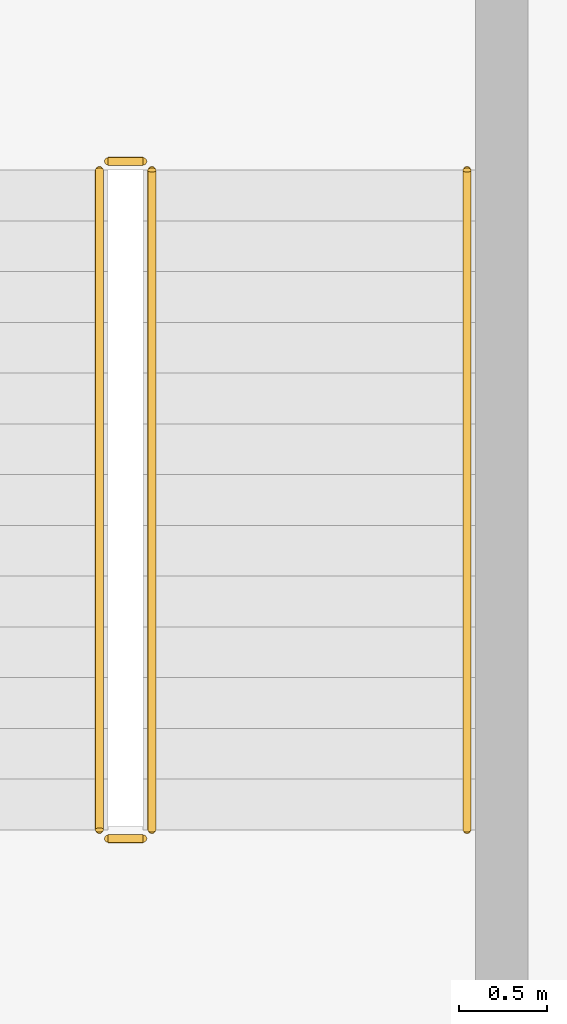
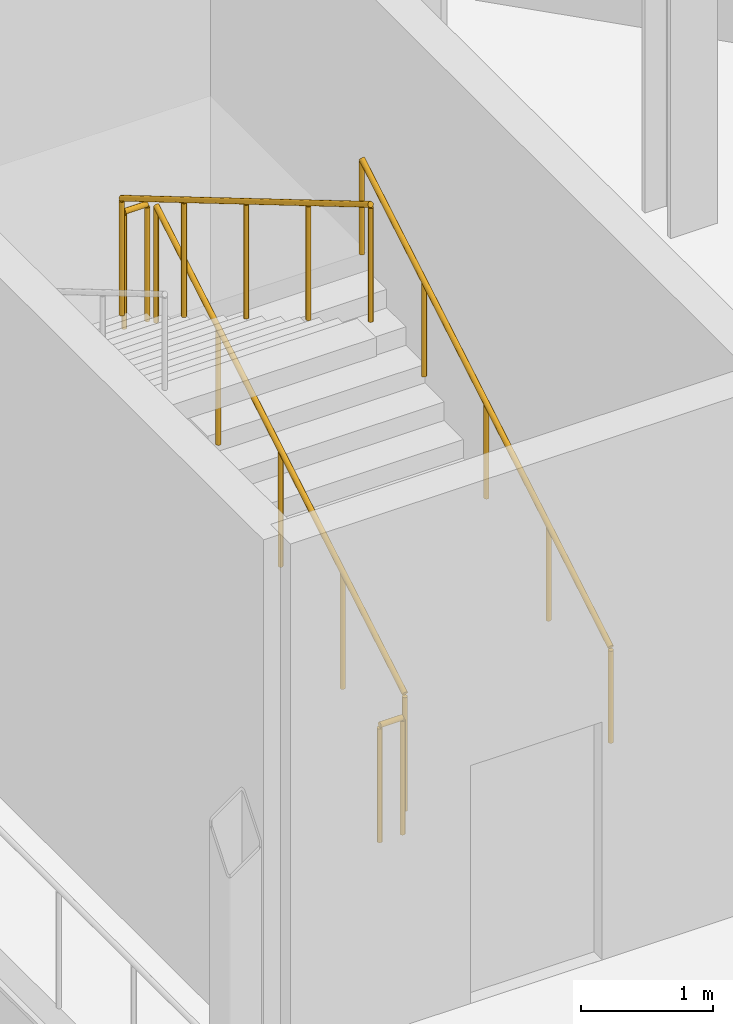
# One storey, part 82 of 85: 5 railings.
"""IFC4 building model written with IfcOpenShell, lengths in metres."""

from ifc_helpers import new_model, si_unit, direction, frame, origin, origin_2d, place, context, subcontext, project, spatial, circle, extrude, material, type_object, element, save


model = new_model("IFC4")

# Units and contexts
model_context = context("Model", 3, precision=1e-05, world=origin(), true_north=direction((0.0, 1.0)))
body_context = subcontext(model_context, "Body", "Model", "MODEL_VIEW")
ifc_project = project(units=[si_unit("LENGTHUNIT", "METRE"), si_unit("AREAUNIT", "SQUARE_METRE"), si_unit("VOLUMEUNIT", "CUBIC_METRE"), si_unit("PLANEANGLEUNIT", "RADIAN"), si_unit("MASSUNIT", "GRAM", prefix="KILO"), si_unit("THERMODYNAMICTEMPERATUREUNIT", "KELVIN"), si_unit("POWERUNIT", "WATT")], contexts=[model_context])

# Site, building, storey
site_placement = place(None, origin())
site = spatial("IfcSite", under=ifc_project, at=site_placement, CompositionType="ELEMENT")
building_placement = place(site_placement, origin())
building = spatial("IfcBuilding", under=site, at=building_placement, Name="Zelmaris Science Centre", CompositionType="ELEMENT")
storey_placement = place(building_placement, frame((0.0, 0.0, 20.39990234375)))
storey = spatial("IfcBuildingStorey", under=building, at=storey_placement, Name="L04", CompositionType="ELEMENT", Elevation=20.39990234375)

# Railings
ifc_material = material(Name="Architectural bronze alloy C28000")
railing_type_1 = type_object("IfcRailingType", Name="Balustrade GD-01 H1120", PredefinedType="BALUSTRADE", material=ifc_material)
railing_1_placement = place(storey_placement, frame((89.550048828125, 33.89990234375, 0.171630859375)))
element("IfcRailing", 1, at=railing_1_placement, inside=storey, type_object=railing_type_1, Name="L04 ST-2 stair guard 1", PredefinedType="BALUSTRADE", context=body_context, shape_type="SweptSolid", body=[
    extrude(circle(Radius=0.02392578125, at=origin_2d()), frame((0.0, 0.0, 1.076171875), z_axis=(0.0, 0.860848830602, 0.508860777473), x_axis=(-1.0, 0.0, 0.0)), (0.0, 0.0, 1.0), 4.37939453125),
    extrude(circle(Radius=0.02099609375, at=origin_2d()), origin(), (0.0, 0.0, 1.0), 1.052001953125),
    extrude(circle(Radius=0.02099609375, at=origin_2d()), frame((0.0, 0.9423828125, 0.55712890625)), (0.0, 0.0, 1.0), 1.052001953125),
    extrude(circle(Radius=0.02099609375, at=origin_2d()), frame((0.0, 1.885009765625, 1.1142578125)), (0.0, 0.0, 1.0), 1.052001953125),
    extrude(circle(Radius=0.02099609375, at=origin_2d()), frame((0.0, 2.82763671875, 1.67138671875)), (0.0, 0.0, 1.0), 1.052001953125),
    extrude(circle(Radius=0.02099609375, at=origin_2d()), frame((0.0, 3.77001953125, 2.228515625)), (0.0, 0.0, 1.0), 1.052001953125),
])
railing_2_placement = place(storey_placement, frame((89.5, 37.719970703125, 2.400146484375)))
element("IfcRailing", 2, at=railing_2_placement, inside=storey, type_object=railing_type_1, Name="L04 ST-2 stair guard 2", PredefinedType="BALUSTRADE", context=body_context, shape_type="SweptSolid", body=[
    extrude(circle(Radius=0.02392578125, at=origin_2d()), frame((0.0, 0.0, 1.076171875), z_axis=(-1.0, 0.0, 0.0), x_axis=(0.0, -1.0, 0.0)), (0.0, 0.0, 1.0), 0.199951171875),
    extrude(circle(Radius=0.02099609375, at=origin_2d()), origin(), (0.0, 0.0, 1.0), 1.052001953125),
    extrude(circle(Radius=0.02099609375, at=origin_2d()), frame((-0.199951171875, 0.0, 0.0)), (0.0, 0.0, 1.0), 1.052001953125),
])
railing_3_placement = place(storey_placement, frame((89.25, 37.669921875, 2.571533203125)))
element("IfcRailing", 3, at=railing_3_placement, inside=storey, type_object=railing_type_1, Name="L04 ST-2 stair guard 3", PredefinedType="BALUSTRADE", context=body_context, shape_type="SweptSolid", body=[
    extrude(circle(Radius=0.02392578125, at=origin_2d()), frame((0.0, 0.0, 1.076171875), z_axis=(0.0, -0.860848830602, 0.508860777473), x_axis=(1.0, 0.0, 0.0)), (0.0, 0.0, 1.0), 4.37939453125),
    extrude(circle(Radius=0.02099609375, at=origin_2d()), origin(), (0.0, 0.0, 1.0), 1.052001953125),
    extrude(circle(Radius=0.02099609375, at=origin_2d()), frame((0.0, -0.9423828125, 0.55712890625)), (0.0, 0.0, 1.0), 1.052001953125),
    extrude(circle(Radius=0.02099609375, at=origin_2d()), frame((0.0, -1.885009765625, 1.1142578125)), (0.0, 0.0, 1.0), 1.052001953125),
    extrude(circle(Radius=0.02099609375, at=origin_2d()), frame((0.0, -2.82763671875, 1.67138671875)), (0.0, 0.0, 1.0), 1.052001953125),
    extrude(circle(Radius=0.02099609375, at=origin_2d()), frame((0.0, -3.77001953125, 2.228515625)), (0.0, 0.0, 1.0), 1.052001953125),
])
railing_4_placement = place(storey_placement, frame((89.5, 33.85009765625, 0.0)))
element("IfcRailing", 4, at=railing_4_placement, inside=storey, type_object=railing_type_1, Name="L04 ST-2 stair guard 4", PredefinedType="BALUSTRADE", context=body_context, shape_type="SweptSolid", body=[
    extrude(circle(Radius=0.02392578125, at=origin_2d()), frame((0.0, 0.0, 1.076171875), z_axis=(-1.0, 0.0, 0.0), x_axis=(0.0, -1.0, 0.0)), (0.0, 0.0, 1.0), 0.199951171875),
    extrude(circle(Radius=0.02099609375, at=origin_2d()), origin(), (0.0, 0.0, 1.0), 1.052001953125),
    extrude(circle(Radius=0.02099609375, at=origin_2d()), frame((-0.199951171875, 0.0, 0.0)), (0.0, 0.0, 1.0), 1.052001953125),
])
railing_type_2 = type_object("IfcRailingType", Name="Handrail HR-01 H900", PredefinedType="HANDRAIL", material=ifc_material)
railing_5_placement = place(storey_placement, frame((91.35009765625, 33.89990234375, 0.171630859375)))
element("IfcRailing", 5, at=railing_5_placement, inside=storey, type_object=railing_type_2, Name="L04 ST-2 stair handrail 1", PredefinedType="HANDRAIL", context=body_context, shape_type="SweptSolid", body=[
    extrude(circle(Radius=0.02392578125, at=origin_2d()), frame((0.0, 0.0, 0.8759765625), z_axis=(0.0, 0.860848830602, 0.508860777473), x_axis=(-1.0, 0.0, 0.0)), (0.0, 0.0, 1.0), 4.37939453125),
    extrude(circle(Radius=0.02099609375, at=origin_2d()), origin(), (0.0, 0.0, 1.0), 0.851806640625),
    extrude(circle(Radius=0.02099609375, at=origin_2d()), frame((0.0, 0.9423828125, 0.55712890625)), (0.0, 0.0, 1.0), 0.851806640625),
    extrude(circle(Radius=0.02099609375, at=origin_2d()), frame((0.0, 1.885009765625, 1.1142578125)), (0.0, 0.0, 1.0), 0.851806640625),
    extrude(circle(Radius=0.02099609375, at=origin_2d()), frame((0.0, 2.82763671875, 1.67138671875)), (0.0, 0.0, 1.0), 0.851806640625),
    extrude(circle(Radius=0.02099609375, at=origin_2d()), frame((0.0, 3.77001953125, 2.228515625)), (0.0, 0.0, 1.0), 0.851806640625),
])

save(model, "model.ifc")
